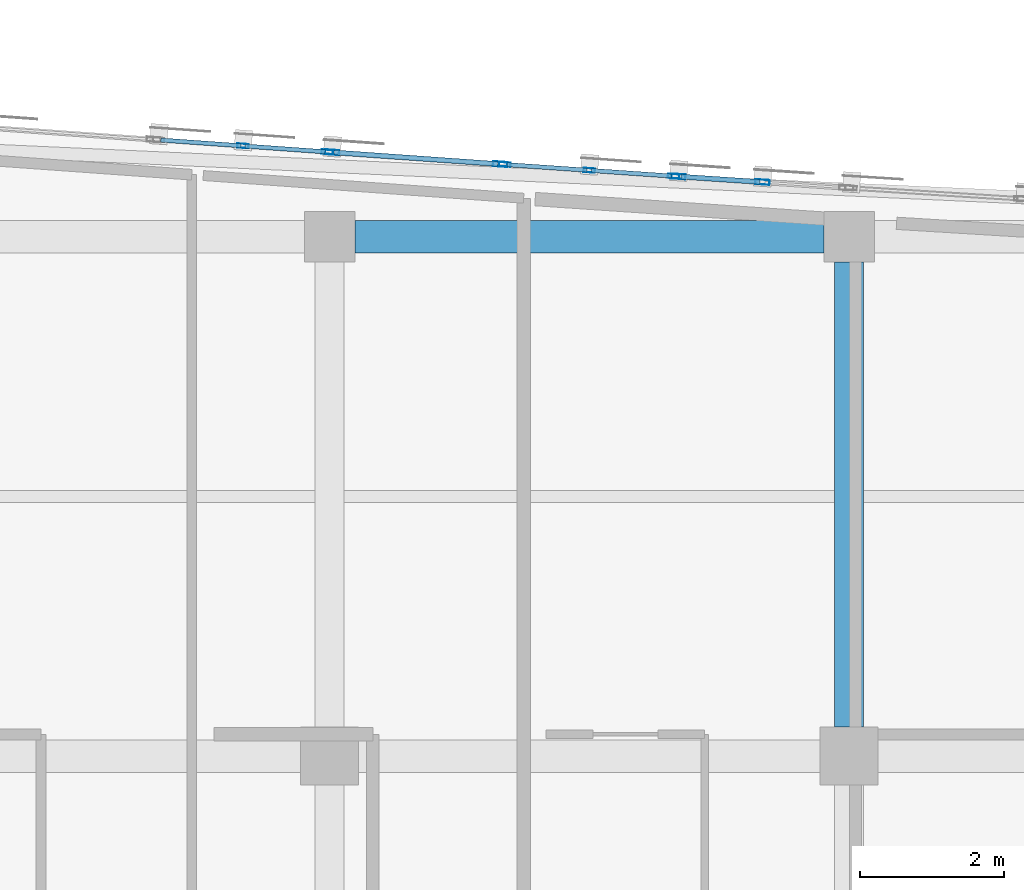
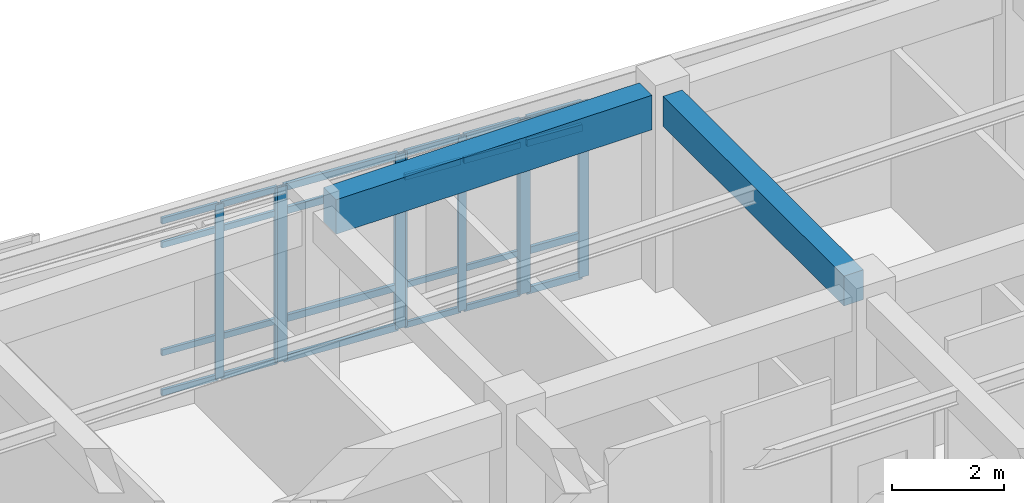
# One storey, part 53 of 106: 33 members, 2 beams, 4 elements without a shape of their own.
"""IFC4 building model written with IfcOpenShell, lengths in metres."""

import ifcopenshell
import ifcopenshell.guid

model = None  # the IFC model being written
_history = None  # IfcOwnerHistory: only IFC2X3 demands one
_inside = {}  # id of a spatial element -> (the spatial element, [elements in it])
_under = {}  # id of a project, library or spatial element -> (it, [spatial elements below it])
_declared = {}  # id of a project -> (the project, [libraries it declares])
_typed = {}  # id of a type object -> (the type object, [elements of that type])
_made_of = {}  # id of a material, layer set ... -> (it, [elements and type objects made of it])


def new_model(schema):
    """Start an empty IFC model of exactly this schema.

    Asked for "IFC4X3", IfcOpenShell would pick the latest addendum, in which some entities
    have other attributes; the version numbers below select the first issue.
    IFC2X3 requires an IfcOwnerHistory on every rooted entity: one is made here for all.
    """
    global model, _history
    if schema == "IFC4X3":
        model = ifcopenshell.file(schema_version=(4, 3, 0, 0))
    else:
        model = ifcopenshell.file(schema=schema)
    _inside.clear()
    _under.clear()
    _declared.clear()
    _typed.clear()
    _made_of.clear()
    _history = None
    if model.schema == "IFC2X3":
        org = make("IfcOrganization", Name="unknown")
        user = make(
            "IfcPersonAndOrganization",
            ThePerson=make("IfcPerson", FamilyName="unknown"),
            TheOrganization=org,
        )
        app = make(
            "IfcApplication",
            ApplicationDeveloper=org,
            Version="unknown",
            ApplicationFullName="unknown",
            ApplicationIdentifier="unknown",
        )
        _history = make(
            "IfcOwnerHistory",
            OwningUser=user,
            OwningApplication=app,
            ChangeAction="ADDED",
            CreationDate=0,
        )
    return model


def make(cls, **values):
    """One entity of the class cls with the attributes given. An attribute that is None is left unset."""
    return model.create_entity(
        cls, **{name: value for name, value in values.items() if value is not None}
    )


def rooted(cls, **values):
    """An entity with a GlobalId (a new one), such as an element, a storey or a relation."""
    return make(cls, GlobalId=ifcopenshell.guid.new(), OwnerHistory=_history, **values)


def si_unit(unit_type, name, prefix=None):
    """IfcSIUnit, for example si_unit("LENGTHUNIT", "METRE", prefix="MILLI")."""
    return make("IfcSIUnit", UnitType=unit_type, Prefix=prefix, Name=name)


def assignment(units):
    """IfcUnitAssignment: the units of a project."""
    return None if units is None else make("IfcUnitAssignment", Units=units)


def point(xyz):
    """IfcCartesianPoint."""
    return None if xyz is None else make("IfcCartesianPoint", Coordinates=xyz)


def direction(xyz):
    """IfcDirection."""
    return None if xyz is None else make("IfcDirection", DirectionRatios=xyz)


def frame(location, z_axis=None, x_axis=None):
    """IfcAxis2Placement3D, a coordinate frame: its origin and axes. An axis left out is left unset."""
    return make(
        "IfcAxis2Placement3D",
        Location=point(location),
        Axis=direction(z_axis),
        RefDirection=direction(x_axis),
    )


def frame_2d(location, x_axis=None):
    """IfcAxis2Placement2D, a coordinate frame in the plane: its origin and x axis."""
    return make(
        "IfcAxis2Placement2D", Location=point(location), RefDirection=direction(x_axis)
    )


def origin():
    """The frame at (0, 0, 0) with its axes left unset."""
    return frame((0.0, 0.0, 0.0))


def origin_2d():
    """The frame at (0, 0) in the plane with its x axis left unset."""
    return frame_2d((0.0, 0.0))


def place(relative_to, where):
    """IfcLocalPlacement: puts the frame where relative to a parent placement (None: the world)."""
    return make(
        "IfcLocalPlacement", PlacementRelTo=relative_to, RelativePlacement=where
    )


def context(
    kind, dimensions, precision=None, world=None, true_north=None, identifier=None
):
    """IfcGeometricRepresentationContext, for example the 3D "Model" context."""
    return make(
        "IfcGeometricRepresentationContext",
        ContextIdentifier=identifier,
        ContextType=kind,
        CoordinateSpaceDimension=dimensions,
        Precision=precision,
        WorldCoordinateSystem=world,
        TrueNorth=true_north,
    )


def subcontext(parent, identifier, kind, view, scale=None):
    """IfcGeometricRepresentationSubContext, for example "Body" below "Model"."""
    return make(
        "IfcGeometricRepresentationSubContext",
        ContextIdentifier=identifier,
        ContextType=kind,
        ParentContext=parent,
        TargetScale=scale,
        TargetView=view,
    )


def project(units=None, contexts=None):
    """IfcProject with its units and contexts."""
    return rooted(
        "IfcProject",
        Name="project",
        RepresentationContexts=contexts,
        UnitsInContext=assignment(units),
    )


def spatial(cls, under=None, at=None, **own):
    """A site, building, storey or space (cls), placed at a placement, below another one or the project."""
    s = rooted(cls, ObjectPlacement=at, **own)
    if under is not None:
        _under.setdefault(under.id(), (under, []))[1].append(s)
    return s


def profile(cls, at=None, kind="AREA", **sizes):
    """A parametric profile (cls). Its sizes go by their IFC names, for example OverallWidth=200.0."""
    return make(cls, ProfileType=kind, Position=at, **sizes)


def rectangle(**sizes):
    """IfcRectangleProfileDef."""
    return profile("IfcRectangleProfileDef", **sizes)


def hollow_rectangle(**sizes):
    """IfcRectangleHollowProfileDef."""
    return profile("IfcRectangleHollowProfileDef", **sizes)


def extrude(swept, where, along, depth):
    """IfcExtrudedAreaSolid: the profile swept, set in the frame where, extruded along a direction by depth."""
    return make(
        "IfcExtrudedAreaSolid",
        SweptArea=swept,
        Position=where,
        ExtrudedDirection=direction(along),
        Depth=depth,
    )


def shape(context_of_items, identifier, shape_type, items):
    """IfcShapeRepresentation: the items that make up one representation, for example the "Body"."""
    return make(
        "IfcShapeRepresentation",
        ContextOfItems=context_of_items,
        RepresentationIdentifier=identifier,
        RepresentationType=shape_type,
        Items=items,
    )


def material(Name=None, Category=None):
    """IfcMaterial."""
    return make("IfcMaterial", Name=Name, Category=Category)


def layer(
    of_material, thickness, ventilated=None, Name=None, Category=None, Priority=None
):
    """IfcMaterialLayer: one layer of a wall or slab, of a material (None: an air gap)."""
    return make(
        "IfcMaterialLayer",
        Material=of_material,
        LayerThickness=thickness,
        IsVentilated=ventilated,
        Name=Name,
        Category=Category,
        Priority=Priority,
    )


def layer_set(layers, Name=None):
    """IfcMaterialLayerSet."""
    return make("IfcMaterialLayerSet", MaterialLayers=layers, LayerSetName=Name)


def material_profile(
    of_material, cross_section, Name=None, Category=None, Priority=None
):
    """IfcMaterialProfile: a cross section and its material."""
    return make(
        "IfcMaterialProfile",
        Name=Name,
        Material=of_material,
        Profile=cross_section,
        Priority=Priority,
        Category=Category,
    )


def profile_set(profiles, Name=None, composite=None):
    """IfcMaterialProfileSet."""
    return make(
        "IfcMaterialProfileSet",
        Name=Name,
        MaterialProfiles=profiles,
        CompositeProfile=composite,
    )


def made_of(thing, what):
    """Note that an element or type object is made of a material, layer set ...; save() writes the relation."""
    if what is not None:
        _made_of.setdefault(what.id(), (what, []))[1].append(thing)
    return thing


def type_object(cls, material=None, **own):
    """A type object (cls), such as IfcWallType, which elements share."""
    return made_of(rooted(cls, **own), material)


def element(
    cls,
    number,
    at=None,
    inside=None,
    cuts=None,
    type_object=None,
    material=None,
    context=None,
    identifier="Body",
    shape_type=None,
    held_by="IfcProductDefinitionShape",
    body=None,
    shapes=None,
    **own,
):
    """One element of the class cls, such as IfcWall. Its Tag is "e" and its number.

    at: its placement. inside: the storey or other place that contains it. cuts: it is an
    opening in that element (IfcRelVoidsElement). A single representation is given by context,
    identifier, shape_type and body (its items); several are given by shapes. held_by: the class
    of the entity that holds the representations. save() writes the other relations.
    """
    e = rooted(cls, Tag="e%d" % number, ObjectPlacement=at, **own)
    if body is not None:
        shapes = [shape(context, identifier, shape_type, body)]
    if shapes is not None:
        e.Representation = make(held_by, Representations=shapes)
    if inside is not None:
        _inside.setdefault(inside.id(), (inside, []))[1].append(e)
    if cuts is not None:
        rooted(
            "IfcRelVoidsElement", RelatingBuildingElement=cuts, RelatedOpeningElement=e
        )
    if type_object is not None:
        _typed.setdefault(type_object.id(), (type_object, []))[1].append(e)
    return made_of(e, material)


def aggregate(whole, parts):
    """IfcRelAggregates: a whole, such as a stair, and the parts it consists of."""
    return rooted("IfcRelAggregates", RelatingObject=whole, RelatedObjects=parts)


def save(model, path):
    """Write the relations noted so far, then the file.

    IfcRelAggregates (storeys below a building ...), IfcRelContainedInSpatialStructure (elements
    in a storey), IfcRelDefinesByType, IfcRelAssociatesMaterial and IfcRelDeclares: one each for
    every whole, place, type object, material and project.
    """
    for whole, parts in _under.values():
        aggregate(whole, parts)
    for where, things in _inside.values():
        rooted(
            "IfcRelContainedInSpatialStructure",
            RelatedElements=things,
            RelatingStructure=where,
        )
    for kind, things in _typed.values():
        rooted("IfcRelDefinesByType", RelatedObjects=things, RelatingType=kind)
    for what, things in _made_of.values():
        rooted("IfcRelAssociatesMaterial", RelatedObjects=things, RelatingMaterial=what)
    for by, libraries in _declared.values():
        rooted("IfcRelDeclares", RelatingContext=by, RelatedDefinitions=libraries)
    model.write(path)


model = new_model("IFC4")

# Units and contexts
model_context = context("Model", 3, precision=1e-05, world=origin(), true_north=direction((0.0, 1.0)))
body_context = subcontext(model_context, "Body", "Model", "MODEL_VIEW")
ifc_project = project(units=[si_unit("LENGTHUNIT", "METRE"), si_unit("AREAUNIT", "SQUARE_METRE"), si_unit("VOLUMEUNIT", "CUBIC_METRE"), si_unit("PLANEANGLEUNIT", "RADIAN"), si_unit("MASSUNIT", "GRAM", prefix="KILO")], contexts=[model_context])

# Site, building, storey
site_placement = place(None, origin())
site = spatial("IfcSite", under=ifc_project, at=site_placement, CompositionType="ELEMENT")
building_placement = place(site_placement, origin())
building = spatial("IfcBuilding", under=site, at=building_placement, Name="Carrowvane Square Congress Hotel", CompositionType="ELEMENT")
storey_placement = place(building_placement, frame((0.0, 0.0, 10.5)))
storey = spatial("IfcBuildingStorey", under=building, at=storey_placement, Name="L02", CompositionType="ELEMENT", Elevation=10.5)

# Beams
ifc_material_1 = material(Name="Concrete C35/45", Category="concrete")
ifc_material_profile_1 = material_profile(ifc_material_1, rectangle(XDim=0.39990234375, YDim=0.64990234375, at=origin_2d()), Name="RC 400x650")
ifc_profile_set_1 = profile_set([ifc_material_profile_1], Name="Concrete C35/45")
beam_type_1 = type_object("IfcBeamType", Name="BM-RC-400x650", PredefinedType="BEAM", material=ifc_profile_set_1)
beam_1_placement = place(storey_placement, frame((148.39990234375, 106.60009765625, 3.89501953125), z_axis=(0.0, 1.0, 0.0), x_axis=(-1.0, 0.0, 0.0)))
element("IfcBeam", 1, at=beam_1_placement, inside=storey, type_object=beam_type_1, Name="L03 girder 20/Q-R", PredefinedType="BEAM", context=body_context, shape_type="SweptSolid", body=[
    extrude(rectangle(XDim=0.39990234375, YDim=0.64990234375, at=origin_2d()), origin(), (0.0, 0.0, 1.0), 6.449951171875),
])
ifc_material_2 = material(Name="Concrete C35/45", Category="concrete")
ifc_material_profile_2 = material_profile(ifc_material_2, rectangle(XDim=0.449951171875, YDim=0.75, at=origin_2d()), Name="RC 450x750")
ifc_profile_set_2 = profile_set([ifc_material_profile_2], Name="Concrete C35/45")
beam_type_2 = type_object("IfcBeamType", Name="BM-RC-450x750", PredefinedType="USERDEFINED", material=ifc_profile_set_2)
beam_2_placement = place(storey_placement, frame((141.550048828125, 113.39990234375, 3.844970703125), z_axis=(1.0, 0.0, 0.0), x_axis=(0.0, 1.0, 0.0)))
element("IfcBeam", 2, at=beam_2_placement, inside=storey, type_object=beam_type_2, Name="L03 girder R/19-20", ObjectType="GIRDER", PredefinedType="USERDEFINED", context=body_context, shape_type="SweptSolid", body=[
    extrude(rectangle(XDim=0.449951171875, YDim=0.75, at=origin_2d()), origin(), (0.0, 0.0, 1.0), 6.5),
])

# Curtain wall, members
ifc_material_3 = material(Name="Anodised aluminium", Category="aluminium")
ifc_layer_1 = layer(ifc_material_3, 0.2099609375)
ifc_layer_set_1 = layer_set([ifc_layer_1], Name="Anodised aluminium")
curtain_wall_type_1 = type_object("IfcCurtainWallType", Name="CW-SYS-5", PredefinedType="NOTDEFINED", material=ifc_layer_set_1)
curtain_wall_1_placement = place(storey_placement, origin())
curtain_wall_1 = element("IfcCurtainWall", 3, at=curtain_wall_1_placement, inside=storey, type_object=curtain_wall_type_1, Name="L02 unitised curtain wall 172", PredefinedType="NOTDEFINED")
ifc_material_4 = material(Name="Anodised aluminium", Category="aluminium")
ifc_material_profile_3 = material_profile(ifc_material_4, hollow_rectangle(XDim=0.06005859375, YDim=0.159912109375, WallThickness=0.00390625, at=origin_2d()), Name="CW-ML 60x160x4")
ifc_profile_set_3 = profile_set([ifc_material_profile_3], Name="Anodised aluminium")
member_type_1 = type_object("IfcMemberType", Name="CW-MUL-1", PredefinedType="MULLION", material=ifc_profile_set_3)
member_1_placement = place(storey_placement, frame((140.0, 114.6572265625, 0.0), z_axis=(0.0, 0.0, 1.0), x_axis=(0.071422490945, 0.997446152826, 0.0)))
member_1 = element("IfcMember", 4, at=member_1_placement, type_object=member_type_1, Name="CW-5 mullion 2", PredefinedType="MULLION", context=body_context, shape_type="SweptSolid", body=[
    extrude(hollow_rectangle(XDim=0.06005859375, YDim=0.159912109375, WallThickness=0.00390625, at=origin_2d()), origin(), (0.0, 0.0, 1.0), 3.795654296875),
])
member_2_placement = place(storey_placement, frame((141.169921875, 114.573486328125, 0.0), z_axis=(0.0, 0.0, 1.0), x_axis=(0.071422490945, 0.997446152826, 0.0)))
member_2 = element("IfcMember", 5, at=member_2_placement, type_object=member_type_1, Name="CW-5 mullion 3", PredefinedType="MULLION", context=body_context, shape_type="SweptSolid", body=[
    extrude(hollow_rectangle(XDim=0.06005859375, YDim=0.159912109375, WallThickness=0.00390625, at=origin_2d()), origin(), (0.0, 0.0, 1.0), 3.795654296875),
])

ifc_material_5 = material(Name="Anodised aluminium", Category="aluminium")
ifc_layer_2 = layer(ifc_material_5, 0.23388671875)
ifc_layer_set_2 = layer_set([ifc_layer_2], Name="Anodised aluminium")
curtain_wall_type_2 = type_object("IfcCurtainWallType", Name="CW-SYS-7", PredefinedType="NOTDEFINED", material=ifc_layer_set_2)
curtain_wall_2_placement = place(storey_placement, origin())
curtain_wall_2 = element("IfcCurtainWall", 6, at=curtain_wall_2_placement, inside=storey, type_object=curtain_wall_type_2, Name="L02 unitised curtain wall 174", PredefinedType="NOTDEFINED")
member_3_placement = place(storey_placement, frame((143.6298828125, 114.3994140625, 0.0), z_axis=(0.0, 0.0, 1.0), x_axis=(0.068986120725, 0.997617619706, 0.0)))
member_3 = element("IfcMember", 7, at=member_3_placement, type_object=member_type_1, Name="CW-7 mullion 1", PredefinedType="MULLION", context=body_context, shape_type="SweptSolid", body=[
    extrude(hollow_rectangle(XDim=0.06005859375, YDim=0.159912109375, WallThickness=0.00390625, at=origin_2d()), origin(), (0.0, 0.0, 1.0), 3.795654296875),
])
member_4_placement = place(storey_placement, frame((144.800048828125, 114.318359375, 0.0), z_axis=(0.0, 0.0, 1.0), x_axis=(0.068986120725, 0.997617619706, 0.0)))
member_4 = element("IfcMember", 8, at=member_4_placement, type_object=member_type_1, Name="CW-7 mullion 2", PredefinedType="MULLION", context=body_context, shape_type="SweptSolid", body=[
    extrude(hollow_rectangle(XDim=0.06005859375, YDim=0.159912109375, WallThickness=0.00390625, at=origin_2d()), origin(), (0.0, 0.0, 1.0), 3.795654296875),
])
member_5_placement = place(storey_placement, frame((145.969970703125, 114.237548828125, 0.0), z_axis=(0.0, 0.0, 1.0), x_axis=(0.068986120725, 0.997617619706, 0.0)))
member_5 = element("IfcMember", 9, at=member_5_placement, type_object=member_type_1, Name="CW-7 mullion 3", PredefinedType="MULLION", context=body_context, shape_type="SweptSolid", body=[
    extrude(hollow_rectangle(XDim=0.06005859375, YDim=0.159912109375, WallThickness=0.00390625, at=origin_2d()), origin(), (0.0, 0.0, 1.0), 3.795654296875),
])

ifc_material_6 = material(Name="Anodised aluminium", Category="aluminium")
ifc_layer_3 = layer(ifc_material_6, 0.221923828125)
ifc_layer_set_3 = layer_set([ifc_layer_3], Name="Anodised aluminium")
curtain_wall_type_3 = type_object("IfcCurtainWallType", Name="CW-SYS-6", PredefinedType="NOTDEFINED", material=ifc_layer_set_3)
curtain_wall_3_placement = place(storey_placement, origin())
curtain_wall_3 = element("IfcCurtainWall", 10, at=curtain_wall_3_placement, inside=storey, type_object=curtain_wall_type_3, Name="L02 unitised curtain wall 173", PredefinedType="NOTDEFINED")
ifc_material_7 = material(Name="Anodised aluminium", Category="aluminium")
ifc_material_profile_4 = material_profile(ifc_material_7, hollow_rectangle(XDim=0.070068359375, YDim=0.199951171875, WallThickness=0.0048828125, at=origin_2d()), Name="CW-ML 70x200x5")
ifc_profile_set_4 = profile_set([ifc_material_profile_4], Name="Anodised aluminium")
member_type_2 = type_object("IfcMemberType", Name="CW-MUL-2", PredefinedType="MULLION", material=ifc_profile_set_4)
member_6_placement = place(storey_placement, frame((141.23486328125, 114.56884765625, 0.0), z_axis=(0.0, 0.0, 1.0), x_axis=(0.070585996942, 0.997505697746, 0.0)))
member_6 = element("IfcMember", 11, at=member_6_placement, type_object=member_type_2, Name="CW-6 mullion 1", PredefinedType="MULLION", context=body_context, shape_type="SweptSolid", body=[
    extrude(hollow_rectangle(XDim=0.070068359375, YDim=0.199951171875, WallThickness=0.0048828125, at=origin_2d()), origin(), (0.0, 0.0, 1.0), 3.795654296875),
])
member_7_placement = place(storey_placement, frame((143.565185546875, 114.40380859375, 0.0), z_axis=(0.0, 0.0, 1.0), x_axis=(0.070585996942, 0.997505697746, 0.0)))
member_7 = element("IfcMember", 12, at=member_7_placement, type_object=member_type_2, Name="CW-6 mullion 2", PredefinedType="MULLION", context=body_context, shape_type="SweptSolid", body=[
    extrude(hollow_rectangle(XDim=0.070068359375, YDim=0.199951171875, WallThickness=0.0048828125, at=origin_2d()), origin(), (0.0, 0.0, 1.0), 3.795654296875),
])

ifc_material_8 = material(Name="Anodised aluminium", Category="aluminium")
ifc_layer_4 = layer(ifc_material_8, 0.24609375)
ifc_layer_set_4 = layer_set([ifc_layer_4], Name="Anodised aluminium")
curtain_wall_type_4 = type_object("IfcCurtainWallType", Name="CW-SYS-8", PredefinedType="NOTDEFINED", material=ifc_layer_set_4)
curtain_wall_4_placement = place(storey_placement, origin())
curtain_wall_4 = element("IfcCurtainWall", 13, at=curtain_wall_4_placement, inside=storey, type_object=curtain_wall_type_4, Name="L02 unitised curtain wall 175", PredefinedType="NOTDEFINED")
member_8_placement = place(storey_placement, frame((146.034912109375, 114.233154296875, 0.0), z_axis=(0.0, 0.0, 1.0), x_axis=(0.06657392244, 0.997781495544, 0.0)))
member_8 = element("IfcMember", 14, at=member_8_placement, type_object=member_type_2, Name="CW-8 mullion 1", PredefinedType="MULLION", context=body_context, shape_type="SweptSolid", body=[
    extrude(hollow_rectangle(XDim=0.070068359375, YDim=0.199951171875, WallThickness=0.0048828125, at=origin_2d()), origin(), (0.0, 0.0, 1.0), 3.795654296875),
])
member_9_placement = place(storey_placement, frame((147.199951171875, 114.155517578125, 0.0), z_axis=(0.0, 0.0, 1.0), x_axis=(0.06657392244, 0.997781495544, 0.0)))
member_9 = element("IfcMember", 15, at=member_9_placement, type_object=member_type_2, Name="CW-8 mullion 2", PredefinedType="MULLION", context=body_context, shape_type="SweptSolid", body=[
    extrude(hollow_rectangle(XDim=0.070068359375, YDim=0.199951171875, WallThickness=0.0048828125, at=origin_2d()), origin(), (0.0, 0.0, 1.0), 3.795654296875),
])

# Member
ifc_material_9 = material(Name="Anodised aluminium", Category="aluminium")
ifc_material_profile_5 = material_profile(ifc_material_9, hollow_rectangle(XDim=0.06005859375, YDim=0.1298828125, WallThickness=0.00390625, at=origin_2d()), Name="CW-TR 60x130x4")
ifc_profile_set_5 = profile_set([ifc_material_profile_5], Name="Anodised aluminium")
member_type_3 = type_object("IfcMemberType", Name="CW-TRN-1", PredefinedType="USERDEFINED", material=ifc_profile_set_5)
member_10_placement = place(storey_placement, frame((138.85986328125, 114.73876953125, 0.030029296875), z_axis=(0.997455358142, -0.071293818209, 0.0), x_axis=(0.071293818209, 0.997455358142, 0.0)))
member_10 = element("IfcMember", 16, at=member_10_placement, type_object=member_type_3, Name="CW-5 transom 1.1", ObjectType="TRANSOM", PredefinedType="USERDEFINED", context=body_context, shape_type="SweptSolid", body=[
    extrude(hollow_rectangle(XDim=0.06005859375, YDim=0.1298828125, WallThickness=0.00390625, at=origin_2d()), origin(), (0.0, 0.0, 1.0), 1.113037109375),
])

member_11_placement = place(storey_placement, frame((138.85986328125, 114.73876953125, 0.89990234375), z_axis=(0.997455358142, -0.071293818209, 0.0), x_axis=(0.071293818209, 0.997455358142, 0.0)))
member_11 = element("IfcMember", 17, at=member_11_placement, type_object=member_type_3, Name="CW-5 transom 1.2", ObjectType="TRANSOM", PredefinedType="USERDEFINED", context=body_context, shape_type="SweptSolid", body=[
    extrude(hollow_rectangle(XDim=0.06005859375, YDim=0.1298828125, WallThickness=0.00390625, at=origin_2d()), origin(), (0.0, 0.0, 1.0), 1.113037109375),
])

member_12_placement = place(storey_placement, frame((138.85986328125, 114.73876953125, 3.24560546875), z_axis=(0.997455358142, -0.071293818209, 0.0), x_axis=(0.071293818209, 0.997455358142, 0.0)))
member_12 = element("IfcMember", 18, at=member_12_placement, type_object=member_type_3, Name="CW-5 transom 1.3", ObjectType="TRANSOM", PredefinedType="USERDEFINED", context=body_context, shape_type="SweptSolid", body=[
    extrude(hollow_rectangle(XDim=0.06005859375, YDim=0.1298828125, WallThickness=0.00390625, at=origin_2d()), origin(), (0.0, 0.0, 1.0), 1.113037109375),
])

member_13_placement = place(storey_placement, frame((138.85986328125, 114.73876953125, 3.765625), z_axis=(0.997455358142, -0.071293818209, 0.0), x_axis=(0.071293818209, 0.997455358142, 0.0)))
member_13 = element("IfcMember", 19, at=member_13_placement, type_object=member_type_3, Name="CW-5 transom 1.4", ObjectType="TRANSOM", PredefinedType="USERDEFINED", context=body_context, shape_type="SweptSolid", body=[
    extrude(hollow_rectangle(XDim=0.06005859375, YDim=0.1298828125, WallThickness=0.00390625, at=origin_2d()), origin(), (0.0, 0.0, 1.0), 1.113037109375),
])

member_14_placement = place(storey_placement, frame((140.02978515625, 114.655029296875, 0.030029296875), z_axis=(0.99744085634, -0.071496420221, 0.0), x_axis=(0.071496420221, 0.99744085634, 0.0)))
member_14 = element("IfcMember", 20, at=member_14_placement, type_object=member_type_3, Name="CW-5 transom 2.1", ObjectType="TRANSOM", PredefinedType="USERDEFINED", context=body_context, shape_type="SweptSolid", body=[
    extrude(hollow_rectangle(XDim=0.06005859375, YDim=0.1298828125, WallThickness=0.00390625, at=origin_2d()), origin(), (0.0, 0.0, 1.0), 1.11328125),
])

member_15_placement = place(storey_placement, frame((140.02978515625, 114.655029296875, 0.89990234375), z_axis=(0.99744085634, -0.071496420221, 0.0), x_axis=(0.071496420221, 0.99744085634, 0.0)))
member_15 = element("IfcMember", 21, at=member_15_placement, type_object=member_type_3, Name="CW-5 transom 2.2", ObjectType="TRANSOM", PredefinedType="USERDEFINED", context=body_context, shape_type="SweptSolid", body=[
    extrude(hollow_rectangle(XDim=0.06005859375, YDim=0.1298828125, WallThickness=0.00390625, at=origin_2d()), origin(), (0.0, 0.0, 1.0), 1.11328125),
])

member_16_placement = place(storey_placement, frame((140.02978515625, 114.655029296875, 3.24560546875), z_axis=(0.99744085634, -0.071496420221, 0.0), x_axis=(0.071496420221, 0.99744085634, 0.0)))
member_16 = element("IfcMember", 22, at=member_16_placement, type_object=member_type_3, Name="CW-5 transom 2.3", ObjectType="TRANSOM", PredefinedType="USERDEFINED", context=body_context, shape_type="SweptSolid", body=[
    extrude(hollow_rectangle(XDim=0.06005859375, YDim=0.1298828125, WallThickness=0.00390625, at=origin_2d()), origin(), (0.0, 0.0, 1.0), 1.11328125),
])

member_17_placement = place(storey_placement, frame((140.02978515625, 114.655029296875, 3.765625), z_axis=(0.99744085634, -0.071496420221, 0.0), x_axis=(0.071496420221, 0.99744085634, 0.0)))
member_17 = element("IfcMember", 23, at=member_17_placement, type_object=member_type_3, Name="CW-5 transom 2.4", ObjectType="TRANSOM", PredefinedType="USERDEFINED", context=body_context, shape_type="SweptSolid", body=[
    extrude(hollow_rectangle(XDim=0.06005859375, YDim=0.1298828125, WallThickness=0.00390625, at=origin_2d()), origin(), (0.0, 0.0, 1.0), 1.11328125),
])

aggregate(curtain_wall_1, [member_1, member_2, member_10, member_11, member_12, member_13, member_14, member_15, member_16, member_17])

member_18_placement = place(storey_placement, frame((143.659912109375, 114.397216796875, 0.030029296875), z_axis=(0.997624092775, -0.068892448896, 0.0), x_axis=(0.068892448896, 0.997624092775, 0.0)))
member_18 = element("IfcMember", 24, at=member_18_placement, type_object=member_type_3, Name="CW-7 transom 1.1", ObjectType="TRANSOM", PredefinedType="USERDEFINED", context=body_context, shape_type="SweptSolid", body=[
    extrude(hollow_rectangle(XDim=0.06005859375, YDim=0.1298828125, WallThickness=0.00390625, at=origin_2d()), origin(), (0.0, 0.0, 1.0), 1.11279296875),
])

member_19_placement = place(storey_placement, frame((143.659912109375, 114.397216796875, 0.89990234375), z_axis=(0.997624092775, -0.068892448896, 0.0), x_axis=(0.068892448896, 0.997624092775, 0.0)))
member_19 = element("IfcMember", 25, at=member_19_placement, type_object=member_type_3, Name="CW-7 transom 1.2", ObjectType="TRANSOM", PredefinedType="USERDEFINED", context=body_context, shape_type="SweptSolid", body=[
    extrude(hollow_rectangle(XDim=0.06005859375, YDim=0.1298828125, WallThickness=0.00390625, at=origin_2d()), origin(), (0.0, 0.0, 1.0), 1.11279296875),
])

member_20_placement = place(storey_placement, frame((143.659912109375, 114.397216796875, 3.24560546875), z_axis=(0.997624092775, -0.068892448896, 0.0), x_axis=(0.068892448896, 0.997624092775, 0.0)))
member_20 = element("IfcMember", 26, at=member_20_placement, type_object=member_type_3, Name="CW-7 transom 1.3", ObjectType="TRANSOM", PredefinedType="USERDEFINED", context=body_context, shape_type="SweptSolid", body=[
    extrude(hollow_rectangle(XDim=0.06005859375, YDim=0.1298828125, WallThickness=0.00390625, at=origin_2d()), origin(), (0.0, 0.0, 1.0), 1.11279296875),
])

member_21_placement = place(storey_placement, frame((143.659912109375, 114.397216796875, 3.765625), z_axis=(0.997624092775, -0.068892448896, 0.0), x_axis=(0.068892448896, 0.997624092775, 0.0)))
member_21 = element("IfcMember", 27, at=member_21_placement, type_object=member_type_3, Name="CW-7 transom 1.4", ObjectType="TRANSOM", PredefinedType="USERDEFINED", context=body_context, shape_type="SweptSolid", body=[
    extrude(hollow_rectangle(XDim=0.06005859375, YDim=0.1298828125, WallThickness=0.00390625, at=origin_2d()), origin(), (0.0, 0.0, 1.0), 1.11279296875),
])

member_22_placement = place(storey_placement, frame((144.829833984375, 114.31640625, 0.030029296875), z_axis=(0.997610037403, -0.06909568201, 0.0), x_axis=(0.06909568201, 0.997610037403, 0.0)))
member_22 = element("IfcMember", 28, at=member_22_placement, type_object=member_type_3, Name="CW-7 transom 2.1", ObjectType="TRANSOM", PredefinedType="USERDEFINED", context=body_context, shape_type="SweptSolid", body=[
    extrude(hollow_rectangle(XDim=0.06005859375, YDim=0.1298828125, WallThickness=0.00390625, at=origin_2d()), origin(), (0.0, 0.0, 1.0), 1.113037109375),
])

member_23_placement = place(storey_placement, frame((144.829833984375, 114.31640625, 0.89990234375), z_axis=(0.997610037403, -0.06909568201, 0.0), x_axis=(0.06909568201, 0.997610037403, 0.0)))
member_23 = element("IfcMember", 29, at=member_23_placement, type_object=member_type_3, Name="CW-7 transom 2.2", ObjectType="TRANSOM", PredefinedType="USERDEFINED", context=body_context, shape_type="SweptSolid", body=[
    extrude(hollow_rectangle(XDim=0.06005859375, YDim=0.1298828125, WallThickness=0.00390625, at=origin_2d()), origin(), (0.0, 0.0, 1.0), 1.113037109375),
])

member_24_placement = place(storey_placement, frame((144.829833984375, 114.31640625, 3.24560546875), z_axis=(0.997610037403, -0.06909568201, 0.0), x_axis=(0.06909568201, 0.997610037403, 0.0)))
member_24 = element("IfcMember", 30, at=member_24_placement, type_object=member_type_3, Name="CW-7 transom 2.3", ObjectType="TRANSOM", PredefinedType="USERDEFINED", context=body_context, shape_type="SweptSolid", body=[
    extrude(hollow_rectangle(XDim=0.06005859375, YDim=0.1298828125, WallThickness=0.00390625, at=origin_2d()), origin(), (0.0, 0.0, 1.0), 1.113037109375),
])

member_25_placement = place(storey_placement, frame((144.829833984375, 114.31640625, 3.765625), z_axis=(0.997610037403, -0.06909568201, 0.0), x_axis=(0.06909568201, 0.997610037403, 0.0)))
member_25 = element("IfcMember", 31, at=member_25_placement, type_object=member_type_3, Name="CW-7 transom 2.4", ObjectType="TRANSOM", PredefinedType="USERDEFINED", context=body_context, shape_type="SweptSolid", body=[
    extrude(hollow_rectangle(XDim=0.06005859375, YDim=0.1298828125, WallThickness=0.00390625, at=origin_2d()), origin(), (0.0, 0.0, 1.0), 1.113037109375),
])

aggregate(curtain_wall_2, [member_3, member_4, member_5, member_18, member_19, member_20, member_21, member_22, member_23, member_24, member_25])

ifc_material_10 = material(Name="Anodised aluminium", Category="aluminium")
ifc_material_profile_6 = material_profile(ifc_material_10, hollow_rectangle(XDim=0.070068359375, YDim=0.14990234375, WallThickness=0.0048828125, at=origin_2d()), Name="CW-TR 70x150x5")
ifc_profile_set_6 = profile_set([ifc_material_profile_6], Name="Anodised aluminium")
member_type_4 = type_object("IfcMemberType", Name="CW-TRN-2", PredefinedType="USERDEFINED", material=ifc_profile_set_6)
member_26_placement = place(storey_placement, frame((141.269775390625, 114.56640625, 0.034912109375), z_axis=(0.997507138694, -0.070565630829, 0.0), x_axis=(0.070565630829, 0.997507138694, 0.0)))
member_26 = element("IfcMember", 32, at=member_26_placement, type_object=member_type_4, Name="CW-6 transom 1.1", ObjectType="TRANSOM", PredefinedType="USERDEFINED", context=body_context, shape_type="SweptSolid", body=[
    extrude(hollow_rectangle(XDim=0.070068359375, YDim=0.14990234375, WallThickness=0.0048828125, at=origin_2d()), origin(), (0.0, 0.0, 1.0), 2.26611328125),
])

member_27_placement = place(storey_placement, frame((141.269775390625, 114.56640625, 0.89990234375), z_axis=(0.997507138694, -0.070565630829, 0.0), x_axis=(0.070565630829, 0.997507138694, 0.0)))
member_27 = element("IfcMember", 33, at=member_27_placement, type_object=member_type_4, Name="CW-6 transom 1.2", ObjectType="TRANSOM", PredefinedType="USERDEFINED", context=body_context, shape_type="SweptSolid", body=[
    extrude(hollow_rectangle(XDim=0.070068359375, YDim=0.14990234375, WallThickness=0.0048828125, at=origin_2d()), origin(), (0.0, 0.0, 1.0), 2.26611328125),
])

member_28_placement = place(storey_placement, frame((141.269775390625, 114.56640625, 3.24560546875), z_axis=(0.997507138694, -0.070565630829, 0.0), x_axis=(0.070565630829, 0.997507138694, 0.0)))
member_28 = element("IfcMember", 34, at=member_28_placement, type_object=member_type_4, Name="CW-6 transom 1.3", ObjectType="TRANSOM", PredefinedType="USERDEFINED", context=body_context, shape_type="SweptSolid", body=[
    extrude(hollow_rectangle(XDim=0.070068359375, YDim=0.14990234375, WallThickness=0.0048828125, at=origin_2d()), origin(), (0.0, 0.0, 1.0), 2.26611328125),
])

member_29_placement = place(storey_placement, frame((141.269775390625, 114.56640625, 3.760498046875), z_axis=(0.997507138694, -0.070565630829, 0.0), x_axis=(0.070565630829, 0.997507138694, 0.0)))
member_29 = element("IfcMember", 35, at=member_29_placement, type_object=member_type_4, Name="CW-6 transom 1.4", ObjectType="TRANSOM", PredefinedType="USERDEFINED", context=body_context, shape_type="SweptSolid", body=[
    extrude(hollow_rectangle(XDim=0.070068359375, YDim=0.14990234375, WallThickness=0.0048828125, at=origin_2d()), origin(), (0.0, 0.0, 1.0), 2.26611328125),
])

aggregate(curtain_wall_3, [member_6, member_7, member_26, member_27, member_28, member_29])

member_30_placement = place(storey_placement, frame((146.06982421875, 114.230712890625, 0.034912109375), z_axis=(0.997786141917, -0.066504247979, 0.0), x_axis=(0.066504247979, 0.997786141917, 0.0)))
member_30 = element("IfcMember", 36, at=member_30_placement, type_object=member_type_4, Name="CW-8 transom 1.1", ObjectType="TRANSOM", PredefinedType="USERDEFINED", context=body_context, shape_type="SweptSolid", body=[
    extrude(hollow_rectangle(XDim=0.070068359375, YDim=0.14990234375, WallThickness=0.0048828125, at=origin_2d()), origin(), (0.0, 0.0, 1.0), 1.09765625),
])

member_31_placement = place(storey_placement, frame((146.06982421875, 114.230712890625, 0.89990234375), z_axis=(0.997786141917, -0.066504247979, 0.0), x_axis=(0.066504247979, 0.997786141917, 0.0)))
member_31 = element("IfcMember", 37, at=member_31_placement, type_object=member_type_4, Name="CW-8 transom 1.2", ObjectType="TRANSOM", PredefinedType="USERDEFINED", context=body_context, shape_type="SweptSolid", body=[
    extrude(hollow_rectangle(XDim=0.070068359375, YDim=0.14990234375, WallThickness=0.0048828125, at=origin_2d()), origin(), (0.0, 0.0, 1.0), 1.09765625),
])

member_32_placement = place(storey_placement, frame((146.06982421875, 114.230712890625, 3.24560546875), z_axis=(0.997786141917, -0.066504247979, 0.0), x_axis=(0.066504247979, 0.997786141917, 0.0)))
member_32 = element("IfcMember", 38, at=member_32_placement, type_object=member_type_4, Name="CW-8 transom 1.3", ObjectType="TRANSOM", PredefinedType="USERDEFINED", context=body_context, shape_type="SweptSolid", body=[
    extrude(hollow_rectangle(XDim=0.070068359375, YDim=0.14990234375, WallThickness=0.0048828125, at=origin_2d()), origin(), (0.0, 0.0, 1.0), 1.09765625),
])

member_33_placement = place(storey_placement, frame((146.06982421875, 114.230712890625, 3.760498046875), z_axis=(0.997786141917, -0.066504247979, 0.0), x_axis=(0.066504247979, 0.997786141917, 0.0)))
member_33 = element("IfcMember", 39, at=member_33_placement, type_object=member_type_4, Name="CW-8 transom 1.4", ObjectType="TRANSOM", PredefinedType="USERDEFINED", context=body_context, shape_type="SweptSolid", body=[
    extrude(hollow_rectangle(XDim=0.070068359375, YDim=0.14990234375, WallThickness=0.0048828125, at=origin_2d()), origin(), (0.0, 0.0, 1.0), 1.09765625),
])

aggregate(curtain_wall_4, [member_8, member_9, member_30, member_31, member_32, member_33])

save(model, "model.ifc")
